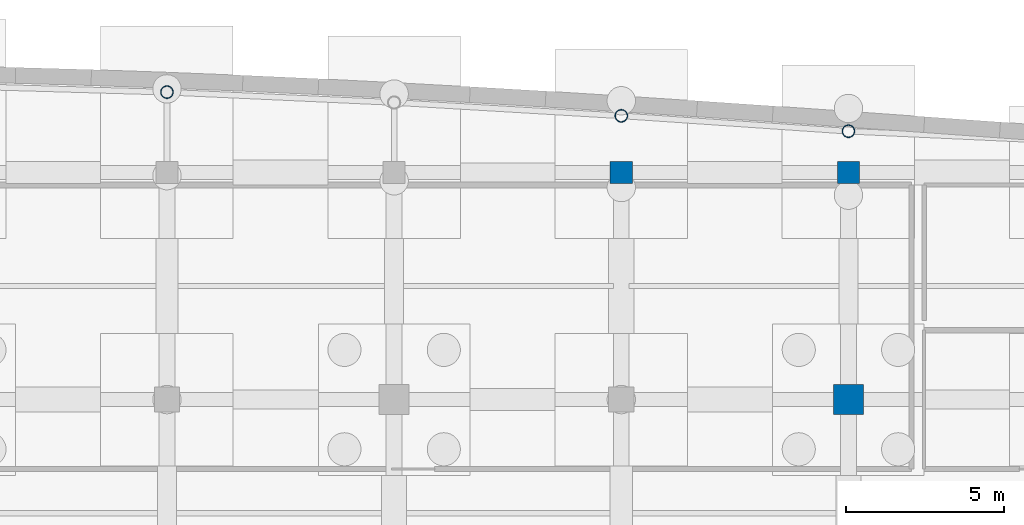
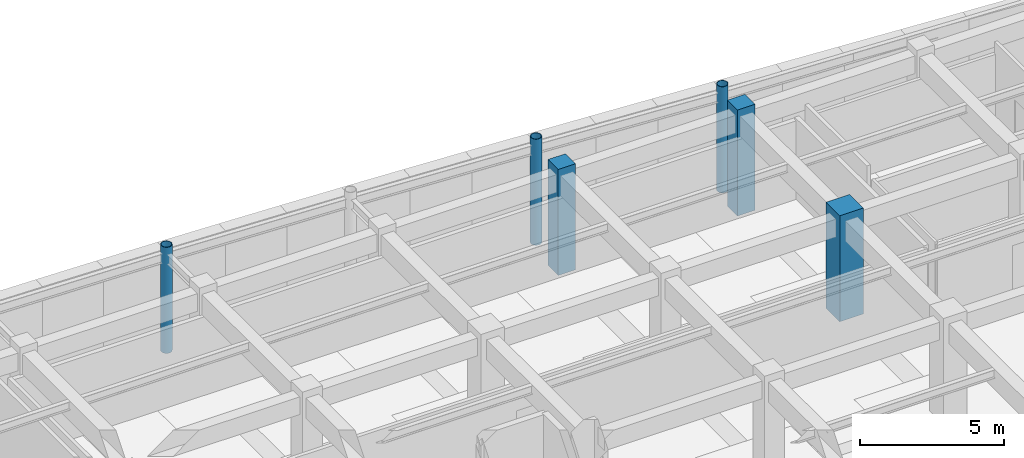
# One storey, part 23 of 48: 6 columns.
"""IFC4 building model written with IfcOpenShell, lengths in metres."""

from ifc_helpers import new_model, si_unit, direction, frame, origin, origin_2d, place, context, subcontext, project, spatial, rectangle, hollow_circle, extrude, material, material_profile, profile_set, type_object, element, save


model = new_model("IFC4")

# Units and contexts
model_context = context("Model", 3, precision=1e-05, world=origin(), true_north=direction((0.0, 1.0)))
body_context = subcontext(model_context, "Body", "Model", "MODEL_VIEW")
ifc_project = project(units=[si_unit("LENGTHUNIT", "METRE"), si_unit("AREAUNIT", "SQUARE_METRE"), si_unit("VOLUMEUNIT", "CUBIC_METRE"), si_unit("PLANEANGLEUNIT", "RADIAN"), si_unit("MASSUNIT", "GRAM", prefix="KILO")], contexts=[model_context])

# Site, building, storey
site_placement = place(None, origin())
site = spatial("IfcSite", under=ifc_project, at=site_placement, CompositionType="ELEMENT")
building_placement = place(site_placement, origin())
building = spatial("IfcBuilding", under=site, at=building_placement, Name="Carrowvane Square Congress Hotel", CompositionType="ELEMENT")
storey_placement = place(building_placement, frame((0.0, 0.0, -4.5)))
storey = spatial("IfcBuildingStorey", under=building, at=storey_placement, Name="B01", CompositionType="ELEMENT", Elevation=-4.5)

# Columns
ifc_material_1 = material(Name="Concrete C40/50", Category="concrete")
ifc_material_profile_1 = material_profile(ifc_material_1, rectangle(XDim=0.699951171875, YDim=0.699951171875, at=origin_2d()), Name="RC 700x700")
ifc_profile_set_1 = profile_set([ifc_material_profile_1], Name="Concrete C40/50")
column_type_1 = type_object("IfcColumnType", Name="COL-RC-700", PredefinedType="COLUMN", material=ifc_profile_set_1)
for number, where, z_axis, x_axis, name in (
    (1, (126.800048828125, 113.39990234375, 0.0), (0.0, 0.0, 1.0), (1.0, 0.0, 0.0), "B01 column 17/R"),
    (2, (134.0, 113.39990234375, 0.0), (0.0, 0.0, 1.0), (1.0, 0.0, 0.0), "B01 column 18/R"),
):
    element("IfcColumn", number, at=place(storey_placement, frame(where, z_axis=z_axis, x_axis=x_axis)), inside=storey, type_object=column_type_1, Name=name, PredefinedType="COLUMN", context=body_context, shape_type="SweptSolid", body=[
        extrude(rectangle(XDim=0.699951171875, YDim=0.699951171875, at=origin_2d()), origin(), (0.0, 0.0, 1.0), 4.5),
    ])
ifc_material_2 = material(Name="Steel S355", Category="steel")
ifc_material_profile_2 = material_profile(ifc_material_2, hollow_circle(Radius=0.203125, WallThickness=0.02001953125, at=origin_2d()), Name="CHS 406.4x20")
ifc_profile_set_2 = profile_set([ifc_material_profile_2], Name="Steel S355")
column_type_2 = type_object("IfcColumnType", Name="COL-ST-CHS406", PredefinedType="COLUMN", material=ifc_profile_set_2)
for number, where, z_axis, x_axis, name in (
    (3, (112.39990234375, 115.944091796875, 0.0), (0.0, 0.0, 1.0), (1.0, 0.0, 0.0), "B01 column 15/ARC"),
    (4, (126.800048828125, 115.1943359375, 0.0), (0.0, 0.0, 1.0), (1.0, 0.0, 0.0), "B01 column 17/ARC"),
    (5, (134.0, 114.7060546875, 0.0), (0.0, 0.0, 1.0), (1.0, 0.0, 0.0), "B01 column 18/ARC"),
):
    element("IfcColumn", number, at=place(storey_placement, frame(where, z_axis=z_axis, x_axis=x_axis)), inside=storey, type_object=column_type_2, Name=name, PredefinedType="COLUMN", context=body_context, shape_type="SweptSolid", body=[
        extrude(hollow_circle(Radius=0.203125, WallThickness=0.02001953125, at=origin_2d()), origin(), (0.0, 0.0, 1.0), 4.5),
    ])
ifc_material_3 = material(Name="Concrete C40/50", Category="concrete")
ifc_material_profile_3 = material_profile(ifc_material_3, rectangle(XDim=0.949951171875, YDim=0.949951171875, at=origin_2d()), Name="RC 950x950")
ifc_profile_set_3 = profile_set([ifc_material_profile_3], Name="Concrete C40/50")
column_type_3 = type_object("IfcColumnType", Name="MCOL-RC-1000", PredefinedType="COLUMN", material=ifc_profile_set_3)
column_placement = place(storey_placement, frame((134.0, 106.199951171875, 0.0), z_axis=(0.0, 0.0, 1.0), x_axis=(1.0, 0.0, 0.0)))
element("IfcColumn", 6, at=column_placement, inside=storey, type_object=column_type_3, Name="B01 column 18/Q", PredefinedType="COLUMN", context=body_context, shape_type="SweptSolid", body=[
    extrude(rectangle(XDim=0.949951171875, YDim=0.949951171875, at=origin_2d()), origin(), (0.0, 0.0, 1.0), 4.5),
])

save(model, "model.ifc")
